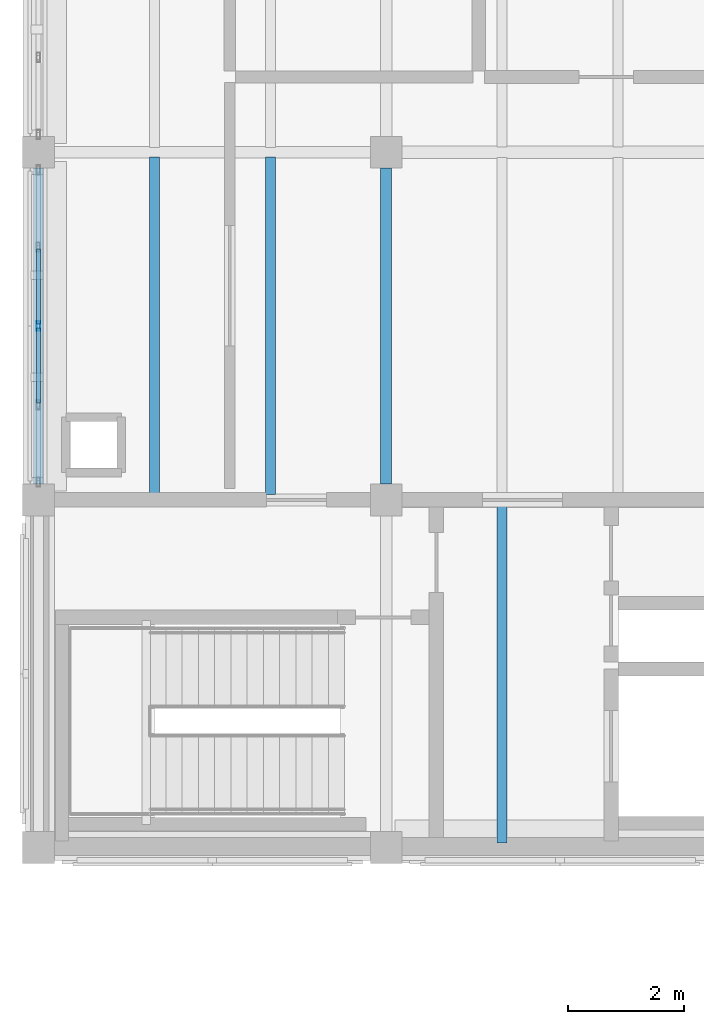
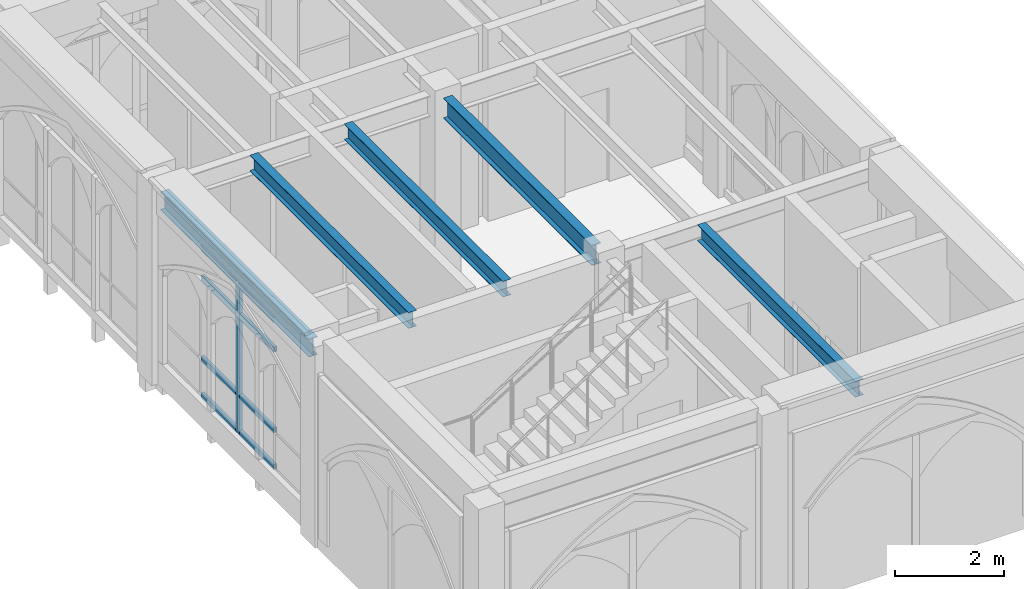
# One storey, part 8 of 108: 9 members, 5 beams, 1 element without a shape of its own.
"""IFC4 building model written with IfcOpenShell, lengths in metres."""

from ifc_helpers import new_model, si_unit, direction, frame, origin, origin_2d, place, context, subcontext, project, spatial, hollow_rectangle, i_section, extrude, material, layer, layer_set, material_profile, profile_set, type_object, element, aggregate, save


model = new_model("IFC4")

# Units and contexts
model_context = context("Model", 3, precision=1e-05, world=origin(), true_north=direction((0.0, 1.0)))
body_context = subcontext(model_context, "Body", "Model", "MODEL_VIEW")
ifc_project = project(units=[si_unit("LENGTHUNIT", "METRE"), si_unit("AREAUNIT", "SQUARE_METRE"), si_unit("VOLUMEUNIT", "CUBIC_METRE"), si_unit("PLANEANGLEUNIT", "RADIAN"), si_unit("MASSUNIT", "GRAM", prefix="KILO")], contexts=[model_context])

# Site, building, storey
site_placement = place(None, origin())
site = spatial("IfcSite", under=ifc_project, at=site_placement, CompositionType="ELEMENT")
building_placement = place(site_placement, origin())
building = spatial("IfcBuilding", under=site, at=building_placement, Name="Cumevento Cable Car Station", CompositionType="ELEMENT")
storey_placement = place(building_placement, frame((0.0, 0.0, 13.5)))
storey = spatial("IfcBuildingStorey", under=building, at=storey_placement, Name="L04", CompositionType="ELEMENT", Elevation=13.5)

# Curtain wall, members
ifc_material_1 = material(Name="Anodised Bronze Aluminium AW-6063-T6", Category="aluminium")
ifc_layer = layer(ifc_material_1, 0.201904296875)
ifc_layer_set = layer_set([ifc_layer], Name="Anodised Bronze Aluminium AW-6063-T6")
curtain_wall_type = type_object("IfcCurtainWallType", Name="Lancet Curtain Wall CW-08 1330", PredefinedType="NOTDEFINED", material=ifc_layer_set)
curtain_wall_placement = place(storey_placement, origin())
curtain_wall = element("IfcCurtainWall", 1, at=curtain_wall_placement, inside=storey, type_object=curtain_wall_type, Name="Lancet Curtain Wall CW-08 L04 #151", PredefinedType="NOTDEFINED")
ifc_material_2 = material(Name="Anodised Bronze Aluminium AW-6063-T6", Category="aluminium")
ifc_material_profile_1 = material_profile(ifc_material_2, hollow_rectangle(XDim=0.06494140625, YDim=0.159912109375, WallThickness=0.00390625, at=origin_2d()), Name="ALUM65x160x4")
ifc_profile_set_1 = profile_set([ifc_material_profile_1], Name="Anodised Bronze Aluminium AW-6063-T6")
member_type_1 = type_object("IfcMemberType", Name="Curtain Mullion CWM-01 ALUM65x160x4", PredefinedType="MULLION", material=ifc_profile_set_1)
member_1_placement = place(storey_placement, frame((10.0, 36.0, 0.52001953125), z_axis=(0.0, 0.0, 1.0), x_axis=(-1.0, 0.0, 0.0)))
member_1 = element("IfcMember", 2, at=member_1_placement, type_object=member_type_1, Name="CW-08 mullion 3", PredefinedType="MULLION", context=body_context, shape_type="SweptSolid", body=[
    extrude(hollow_rectangle(XDim=0.06494140625, YDim=0.159912109375, WallThickness=0.00390625, at=origin_2d()), origin(), (0.0, 0.0, 1.0), 3.361083984375),
])
ifc_material_3 = material(Name="Anodised Bronze Aluminium AW-6063-T6", Category="aluminium")
ifc_material_profile_2 = material_profile(ifc_material_3, hollow_rectangle(XDim=0.06494140625, YDim=0.1201171875, WallThickness=0.00390625, at=origin_2d()), Name="ALUT65x120x4")
ifc_profile_set_2 = profile_set([ifc_material_profile_2], Name="Anodised Bronze Aluminium AW-6063-T6")
member_type_2 = type_object("IfcMemberType", Name="Curtain Transom CWT-01 ALUT65x120x4", PredefinedType="USERDEFINED", material=ifc_profile_set_2)
member_2_placement = place(storey_placement, frame((10.0, 34.669921875, 0.552490234375), z_axis=(0.0, 1.0, 0.0), x_axis=(-1.0, 0.0, 0.0)))
member_2 = element("IfcMember", 3, at=member_2_placement, type_object=member_type_2, Name="CW-08 transom 2.1", ObjectType="TRANSOM", PredefinedType="USERDEFINED", context=body_context, shape_type="SweptSolid", body=[
    extrude(hollow_rectangle(XDim=0.06494140625, YDim=0.1201171875, WallThickness=0.00390625, at=origin_2d()), origin(), (0.0, 0.0, 1.0), 1.297607421875),
])
member_3_placement = place(storey_placement, frame((10.0, 34.669921875, 1.3701171875), z_axis=(0.0, 1.0, 0.0), x_axis=(-1.0, 0.0, 0.0)))
member_3 = element("IfcMember", 4, at=member_3_placement, type_object=member_type_2, Name="CW-08 transom 2.2", ObjectType="TRANSOM", PredefinedType="USERDEFINED", context=body_context, shape_type="SweptSolid", body=[
    extrude(hollow_rectangle(XDim=0.06494140625, YDim=0.1201171875, WallThickness=0.00390625, at=origin_2d()), origin(), (0.0, 0.0, 1.0), 1.297607421875),
])
member_4_placement = place(storey_placement, frame((10.0, 34.669921875, 3.180908203125), z_axis=(0.0, 1.0, 0.0), x_axis=(-1.0, 0.0, 0.0)))
member_4 = element("IfcMember", 5, at=member_4_placement, type_object=member_type_2, Name="CW-08 transom 2.3", ObjectType="TRANSOM", PredefinedType="USERDEFINED", context=body_context, shape_type="SweptSolid", body=[
    extrude(hollow_rectangle(XDim=0.06494140625, YDim=0.1201171875, WallThickness=0.00390625, at=origin_2d()), origin(), (0.0, 0.0, 1.0), 1.297607421875),
])
member_5_placement = place(storey_placement, frame((10.0, 34.669921875, 3.848388671875), z_axis=(0.0, 1.0, 0.0), x_axis=(-1.0, 0.0, 0.0)))
member_5 = element("IfcMember", 6, at=member_5_placement, type_object=member_type_2, Name="CW-08 transom 2.4", ObjectType="TRANSOM", PredefinedType="USERDEFINED", context=body_context, shape_type="SweptSolid", body=[
    extrude(hollow_rectangle(XDim=0.06494140625, YDim=0.1201171875, WallThickness=0.00390625, at=origin_2d()), origin(), (0.0, 0.0, 1.0), 1.297607421875),
])
member_6_placement = place(storey_placement, frame((10.0, 36.032470703125, 0.552490234375), z_axis=(0.0, 1.0, 0.0), x_axis=(-1.0, 0.0, 0.0)))
member_6 = element("IfcMember", 7, at=member_6_placement, type_object=member_type_2, Name="CW-08 transom 3.1", ObjectType="TRANSOM", PredefinedType="USERDEFINED", context=body_context, shape_type="SweptSolid", body=[
    extrude(hollow_rectangle(XDim=0.06494140625, YDim=0.1201171875, WallThickness=0.00390625, at=origin_2d()), origin(), (0.0, 0.0, 1.0), 1.297607421875),
])
member_7_placement = place(storey_placement, frame((10.0, 36.032470703125, 1.3701171875), z_axis=(0.0, 1.0, 0.0), x_axis=(-1.0, 0.0, 0.0)))
member_7 = element("IfcMember", 8, at=member_7_placement, type_object=member_type_2, Name="CW-08 transom 3.2", ObjectType="TRANSOM", PredefinedType="USERDEFINED", context=body_context, shape_type="SweptSolid", body=[
    extrude(hollow_rectangle(XDim=0.06494140625, YDim=0.1201171875, WallThickness=0.00390625, at=origin_2d()), origin(), (0.0, 0.0, 1.0), 1.297607421875),
])
member_8_placement = place(storey_placement, frame((10.0, 36.032470703125, 3.180908203125), z_axis=(0.0, 1.0, 0.0), x_axis=(-1.0, 0.0, 0.0)))
member_8 = element("IfcMember", 9, at=member_8_placement, type_object=member_type_2, Name="CW-08 transom 3.3", ObjectType="TRANSOM", PredefinedType="USERDEFINED", context=body_context, shape_type="SweptSolid", body=[
    extrude(hollow_rectangle(XDim=0.06494140625, YDim=0.1201171875, WallThickness=0.00390625, at=origin_2d()), origin(), (0.0, 0.0, 1.0), 1.297607421875),
])
member_9_placement = place(storey_placement, frame((10.0, 36.032470703125, 3.848388671875), z_axis=(0.0, 1.0, 0.0), x_axis=(-1.0, 0.0, 0.0)))
member_9 = element("IfcMember", 10, at=member_9_placement, type_object=member_type_2, Name="CW-08 transom 3.4", ObjectType="TRANSOM", PredefinedType="USERDEFINED", context=body_context, shape_type="SweptSolid", body=[
    extrude(hollow_rectangle(XDim=0.06494140625, YDim=0.1201171875, WallThickness=0.00390625, at=origin_2d()), origin(), (0.0, 0.0, 1.0), 1.297607421875),
])
aggregate(curtain_wall, [member_1, member_2, member_3, member_4, member_5, member_6, member_7, member_8, member_9])

# Beams
ifc_material_4 = material(Name="Steel ASTM A572 Grade 50", Category="steel")
ifc_material_profile_3 = material_profile(ifc_material_4, i_section(OverallWidth=0.18994140625, OverallDepth=0.45703125, WebThickness=0.009033203125, FlangeThickness=0.014404296875, at=origin_2d()), Name="W460x74.0")
ifc_profile_set_3 = profile_set([ifc_material_profile_3], Name="Steel ASTM A572 Grade 50")
beam_type_1 = type_object("IfcBeamType", Name="Structural Beam BM-04 W460x74.0", PredefinedType="BEAM", material=ifc_profile_set_3)
beam_1_placement = place(storey_placement, frame((16.0, 33.27490234375, 4.0595703125), z_axis=(0.0, 1.0, 0.0), x_axis=(-1.0, 0.0, 0.0)))
element("IfcBeam", 11, at=beam_1_placement, inside=storey, type_object=beam_type_1, Name="Beam BM-04 L04 #1373", PredefinedType="BEAM", context=body_context, shape_type="SweptSolid", body=[
    extrude(i_section(OverallWidth=0.18994140625, OverallDepth=0.45703125, WebThickness=0.009033203125, FlangeThickness=0.014404296875, at=origin_2d()), origin(), (0.0, 0.0, 1.0), 5.4501953125),
])
ifc_material_5 = material(Name="Steel ASTM A572 Grade 50", Category="steel")
ifc_material_profile_4 = material_profile(ifc_material_5, i_section(OverallWidth=0.1708984375, OverallDepth=0.35498046875, WebThickness=0.007080078125, FlangeThickness=0.01171875, at=origin_2d()), Name="W360x51.0")
ifc_profile_set_4 = profile_set([ifc_material_profile_4], Name="Steel ASTM A572 Grade 50")
beam_type_2 = type_object("IfcBeamType", Name="Structural Joist JS-01 W360x51.0", PredefinedType="JOIST", material=ifc_profile_set_4)
beam_2_placement = place(storey_placement, frame((18.0, 27.0830078125, 4.110595703125), z_axis=(0.0, 1.0, 0.0), x_axis=(-1.0, 0.0, 0.0)))
element("IfcBeam", 12, at=beam_2_placement, inside=storey, type_object=beam_type_2, Name="Composite Floor Joist JS-01 L04 #1504", PredefinedType="JOIST", context=body_context, shape_type="SweptSolid", body=[
    extrude(i_section(OverallWidth=0.1708984375, OverallDepth=0.35498046875, WebThickness=0.007080078125, FlangeThickness=0.01171875, at=origin_2d()), origin(), (0.0, 0.0, 1.0), 5.802001953125),
])
for number, where, z_axis, x_axis, name in (
    (13, (12.0, 33.090576171875, 4.110595703125), (0.0, 1.0, 0.0), (-1.0, 0.0, 0.0), "Composite Floor Joist JS-01 L04 #1505"),
    (14, (14.0, 33.090576171875, 4.110595703125), (0.0, 1.0, 0.0), (-1.0, 0.0, 0.0), "Composite Floor Joist JS-01 L04 #1507"),
):
    element("IfcBeam", number, at=place(storey_placement, frame(where, z_axis=z_axis, x_axis=x_axis)), inside=storey, type_object=beam_type_2, Name=name, PredefinedType="JOIST", context=body_context, shape_type="SweptSolid", body=[
        extrude(i_section(OverallWidth=0.1708984375, OverallDepth=0.35498046875, WebThickness=0.007080078125, FlangeThickness=0.01171875, at=origin_2d()), origin(), (0.0, 0.0, 1.0), 5.825439453125),
    ])
ifc_material_6 = material(Name="Steel ASTM A572 Grade 50", Category="steel")
ifc_material_profile_5 = material_profile(ifc_material_6, i_section(OverallWidth=0.177978515625, OverallDepth=0.406982421875, WebThickness=0.0078125, FlangeThickness=0.0126953125, at=origin_2d()), Name="W410x60.0")
ifc_profile_set_5 = profile_set([ifc_material_profile_5], Name="Steel ASTM A572 Grade 50")
beam_type_3 = type_object("IfcBeamType", Name="Structural Spandrel SP-01 W410x60.0", PredefinedType="SPANDREL", material=ifc_profile_set_5)
beam_3_placement = place(storey_placement, frame((10.0, 33.27490234375, 4.08447265625), z_axis=(0.0, 1.0, 0.0), x_axis=(-1.0, 0.0, 0.0)))
element("IfcBeam", 15, at=beam_3_placement, inside=storey, type_object=beam_type_3, Name="Beam SP-01 L04 #1371", PredefinedType="SPANDREL", context=body_context, shape_type="SweptSolid", body=[
    extrude(i_section(OverallWidth=0.177978515625, OverallDepth=0.406982421875, WebThickness=0.0078125, FlangeThickness=0.0126953125, at=origin_2d()), origin(), (0.0, 0.0, 1.0), 5.4501953125),
])

save(model, "model.ifc")
